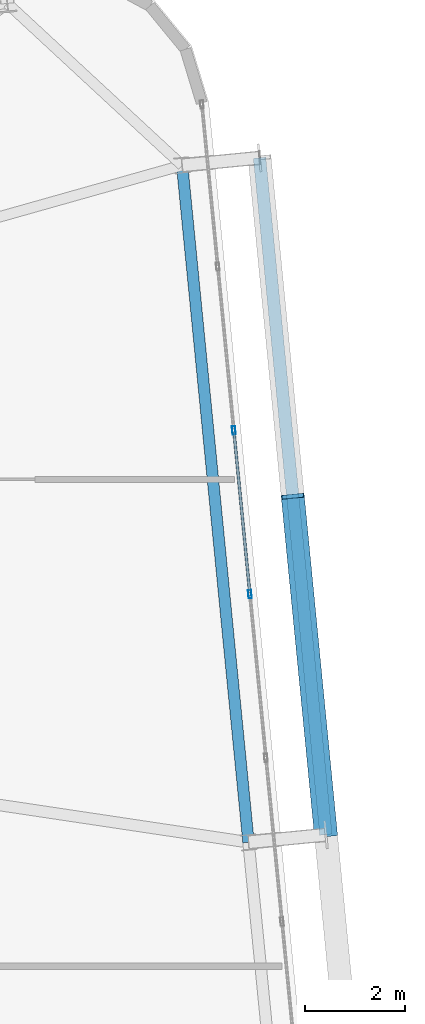
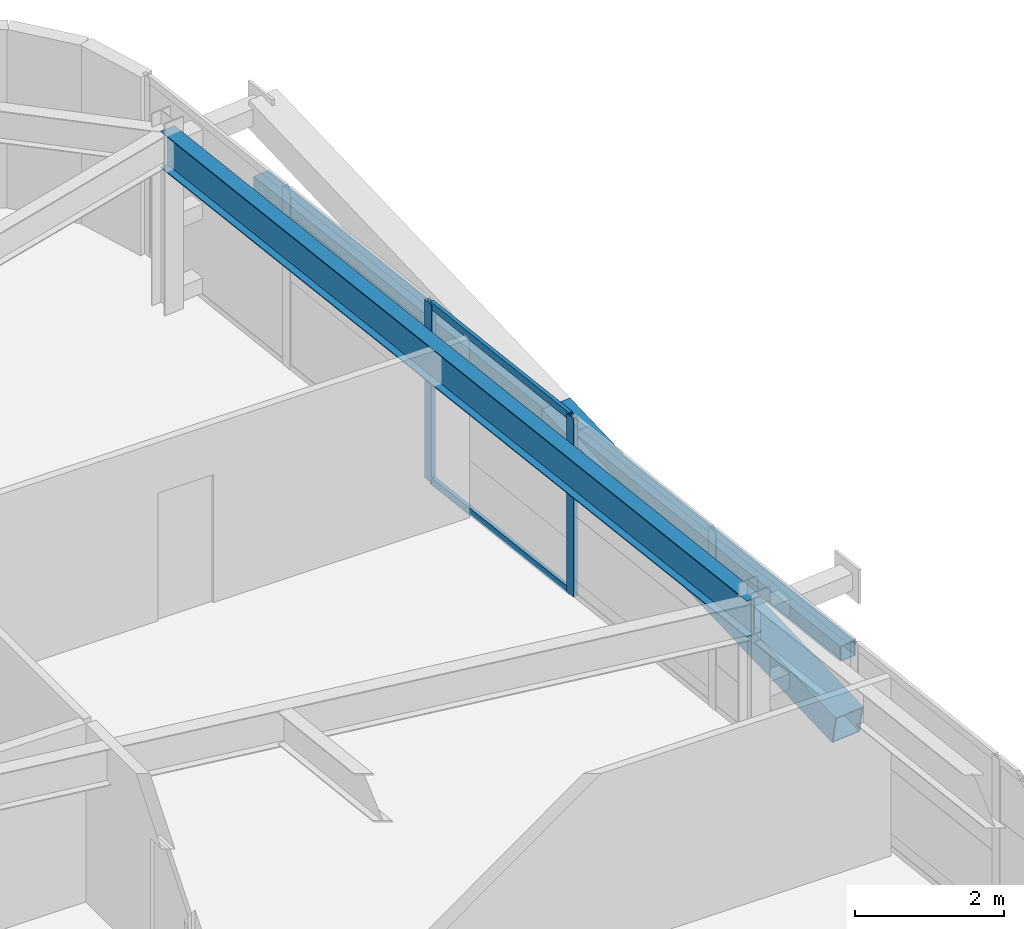
# One storey, part 26 of 54: 6 members, 1 beam, 1 element without a shape of its own.
"""IFC4 building model written with IfcOpenShell, lengths in metres."""

from ifc_helpers import new_model, si_unit, direction, frame, origin, origin_2d, place, context, subcontext, project, spatial, hollow_rectangle, i_section, extrude, source, transform, mapped, material, layer, layer_set, material_profile, profile_set, type_object, element, aggregate, save


model = new_model("IFC4")

# Units and contexts
model_context = context("Model", 3, precision=1e-05, world=origin(), true_north=direction((0.0, 1.0)))
body_context = subcontext(model_context, "Body", "Model", "MODEL_VIEW")
ifc_project = project(units=[si_unit("LENGTHUNIT", "METRE"), si_unit("AREAUNIT", "SQUARE_METRE"), si_unit("VOLUMEUNIT", "CUBIC_METRE"), si_unit("PLANEANGLEUNIT", "RADIAN"), si_unit("MASSUNIT", "GRAM", prefix="KILO")], contexts=[model_context])

# Site, building, storey
site_placement = place(None, origin())
site = spatial("IfcSite", under=ifc_project, at=site_placement, CompositionType="ELEMENT")
building_placement = place(site_placement, origin())
building = spatial("IfcBuilding", under=site, at=building_placement, Name="Taldren Reach Tower", CompositionType="ELEMENT")
storey_placement = place(building_placement, frame((0.0, 0.0, 102.89990234375)))
storey = spatial("IfcBuildingStorey", under=building, at=storey_placement, Name="L31", CompositionType="ELEMENT", Elevation=102.89990234375)

# Beam
ifc_material_1 = material(Name="Steel Gr 350 (350PLUS)", Category="steel")
ifc_material_profile_1 = material_profile(ifc_material_1, i_section(OverallWidth=0.22802734375, OverallDepth=0.60205078125, WebThickness=0.010498046875, FlangeThickness=0.014892578125, at=origin_2d()), Name="610UB101")
ifc_profile_set_1 = profile_set([ifc_material_profile_1], Name="Steel Gr 350 (350PLUS)")
beam_type = type_object("IfcBeamType", Name="BM-UB610B", PredefinedType="BEAM", material=ifc_profile_set_1)
shared_shape_1 = source(origin(), body_context, "Body", "SweptSolid", [
    extrude(i_section(OverallWidth=0.22802734375, OverallDepth=0.60205078125, WebThickness=0.010498046875, FlangeThickness=0.014892578125, at=origin_2d()), origin(), (0.0, 0.0, 1.0), 13.550048828125),
])
beam_placement = place(storey_placement, frame((64.569580078125, 21.968994140625, 2.629150390625), z_axis=(-0.097584021339, 0.995227290009, 0.0), x_axis=(-0.995227290009, -0.097584021339, 0.0)))
element("IfcBeam", 1, at=beam_placement, inside=storey, type_object=beam_type, Name="Perimeter gable girder B2 E2-E3 L31", PredefinedType="BEAM", context=body_context, shape_type="MappedRepresentation", body=[
    mapped(shared_shape_1, transform((0.0, 0.0, 0.0), scale=1.0)),
])

# Members
ifc_material_2 = material(Name="Steel Gr 450 (C450L0)", Category="steel")
ifc_material_profile_2 = material_profile(ifc_material_2, hollow_rectangle(XDim=0.4599609375, YDim=0.4599609375, WallThickness=0.01611328125, at=origin_2d()), Name="460x460x16.0SHS")
ifc_profile_set_2 = profile_set([ifc_material_profile_2], Name="Steel Gr 450 (C450L0)")
member_type_1 = type_object("IfcMemberType", Name="MB-EXO457", PredefinedType="BRACE", material=ifc_profile_set_2)
shared_shape_2 = source(origin(), body_context, "Body", "SweptSolid", [
    extrude(hollow_rectangle(XDim=0.4599609375, YDim=0.4599609375, WallThickness=0.01611328125, at=origin_2d()), origin(), (0.0, 0.0, 1.0), 6.883056640625),
])
member_1_placement = place(storey_placement, frame((66.112060546875, 22.1201171875, 0.22021484375), z_axis=(-0.096052059581, 0.979603316657, 0.176497432967), x_axis=(-0.995227290009, -0.097584021339, 0.0)))
element("IfcMember", 2, at=member_1_placement, inside=storey, type_object=member_type_1, Name="Exoskeleton Diagrid Brace B2-E2 L31", PredefinedType="BRACE", context=body_context, shape_type="MappedRepresentation", body=[
    mapped(shared_shape_2, transform((0.0, 0.0, 0.0), scale=1.0)),
])
ifc_material_3 = material(Name="Steel Gr 350 (C350L0)", Category="steel")
ifc_material_profile_3 = material_profile(ifc_material_3, hollow_rectangle(XDim=0.25, YDim=0.25, WallThickness=0.010009765625, at=origin_2d()), Name="250x250x10.0SHS")
ifc_profile_set_3 = profile_set([ifc_material_profile_3], Name="Steel Gr 350 (C350L0)")
member_type_2 = type_object("IfcMemberType", Name="MB-POST250", PredefinedType="POST", material=ifc_profile_set_3)
shared_shape_3 = source(origin(), body_context, "Body", "SweptSolid", [
    extrude(hollow_rectangle(XDim=0.25, YDim=0.25, WallThickness=0.010009765625, at=origin_2d()), origin(), (0.0, 0.0, 1.0), 13.550048828125),
])
member_2_placement = place(storey_placement, frame((66.112060546875, 22.1201171875, 1.43505859375), z_axis=(-0.097584021339, 0.995227290009, 0.0), x_axis=(-0.995227290009, -0.097584021339, 0.0)))
element("IfcMember", 3, at=member_2_placement, inside=storey, type_object=member_type_2, Name="Exoskeleton mid-height ring chord B2-E2 L31", PredefinedType="POST", context=body_context, shape_type="MappedRepresentation", body=[
    mapped(shared_shape_3, transform((0.0, 0.0, 0.0), scale=1.0)),
])

# Curtain wall, members
ifc_material_4 = material(Name="Aluminium and Low-E Glass Unitised System", Category="aluminium")
ifc_layer = layer(ifc_material_4, 0.159912109375)
ifc_layer_set = layer_set([ifc_layer], Name="Aluminium and Low-E Glass Unitised System")
curtain_wall_type = type_object("IfcCurtainWallType", Name="CW-SYS-3", PredefinedType="NOTDEFINED", material=ifc_layer_set)
curtain_wall_placement = place(storey_placement, origin())
curtain_wall = element("IfcCurtainWall", 4, at=curtain_wall_placement, inside=storey, type_object=curtain_wall_type, Name="Unitised curtain wall CW-L31-E", PredefinedType="NOTDEFINED")
ifc_material_5 = material(Name="Anodised Aluminium 6063-T6", Category="aluminium")
ifc_material_profile_4 = material_profile(ifc_material_5, hollow_rectangle(XDim=0.06494140625, YDim=0.1650390625, WallThickness=0.00390625, at=origin_2d()), Name="ALU-165x65x4RHS")
ifc_profile_set_4 = profile_set([ifc_material_profile_4], Name="Anodised Aluminium 6063-T6")
member_type_3 = type_object("IfcMemberType", Name="CW-MUL-165", PredefinedType="MULLION", material=ifc_profile_set_4)
shared_shape_4 = source(origin(), body_context, "Body", "SweptSolid", [
    extrude(hollow_rectangle(XDim=0.06494140625, YDim=0.1650390625, WallThickness=0.00390625, at=origin_2d()), origin(), (0.0, 0.0, 1.0), 2.93017578125),
])
member_3_placement = place(storey_placement, frame((64.59716796875, 26.911865234375, 0.0), z_axis=(0.0, 0.0, 1.0), x_axis=(-0.99522741555, -0.09758274098, 0.0)))
member_3 = element("IfcMember", 5, at=member_3_placement, type_object=member_type_3, Name="CW-3 mullion 7", PredefinedType="MULLION", context=body_context, shape_type="MappedRepresentation", body=[
    mapped(shared_shape_4, transform((0.0, 0.0, 0.0), scale=1.0)),
])
member_4_placement = place(storey_placement, frame((64.27734375, 30.174072265625, 0.0), z_axis=(0.0, 0.0, 1.0), x_axis=(-0.99522741555, -0.09758274098, 0.0)))
member_4 = element("IfcMember", 6, at=member_4_placement, type_object=member_type_3, Name="CW-3 mullion 8", PredefinedType="MULLION", context=body_context, shape_type="MappedRepresentation", body=[
    mapped(shared_shape_4, transform((0.0, 0.0, 0.0), scale=1.0)),
])
ifc_material_profile_5 = material_profile(ifc_material_5, hollow_rectangle(XDim=0.054931640625, YDim=0.1201171875, WallThickness=0.0029296875, at=origin_2d()), Name="ALU-120x55x3RHS")
ifc_profile_set_5 = profile_set([ifc_material_profile_5], Name="Anodised Aluminium 6063-T6")
member_type_4 = type_object("IfcMemberType", Name="CW-TRN-135", PredefinedType="USERDEFINED", material=ifc_profile_set_5)
shared_shape_5 = source(origin(), body_context, "Body", "SweptSolid", [
    extrude(hollow_rectangle(XDim=0.054931640625, YDim=0.1201171875, WallThickness=0.0029296875, at=origin_2d()), origin(), (0.0, 0.0, 1.0), 3.212890625),
])
member_5_placement = place(storey_placement, frame((64.593994140625, 26.944091796875, 0.027587890625), z_axis=(-0.097569948235, 0.995228669805, 0.0), x_axis=(-0.995228669805, -0.097569948235, 0.0)))
member_5 = element("IfcMember", 7, at=member_5_placement, type_object=member_type_4, Name="CW-3 transom 7.1", ObjectType="TRANSOM", PredefinedType="USERDEFINED", context=body_context, shape_type="MappedRepresentation", body=[
    mapped(shared_shape_5, transform((0.0, 0.0, 0.0), scale=1.0)),
])
member_6_placement = place(storey_placement, frame((64.593994140625, 26.944091796875, 2.902587890625), z_axis=(-0.097569948235, 0.995228669805, 0.0), x_axis=(-0.995228669805, -0.097569948235, 0.0)))
member_6 = element("IfcMember", 8, at=member_6_placement, type_object=member_type_4, Name="CW-3 transom 7.2", ObjectType="TRANSOM", PredefinedType="USERDEFINED", context=body_context, shape_type="MappedRepresentation", body=[
    mapped(shared_shape_5, transform((0.0, 0.0, 0.0), scale=1.0)),
])
aggregate(curtain_wall, [member_3, member_4, member_5, member_6])

save(model, "model.ifc")
